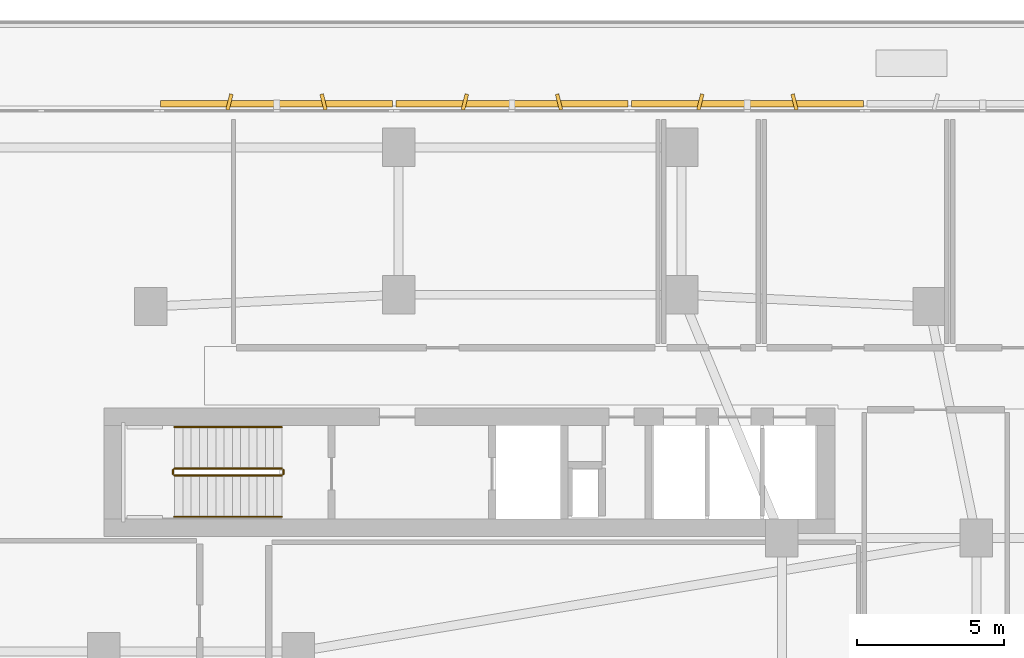
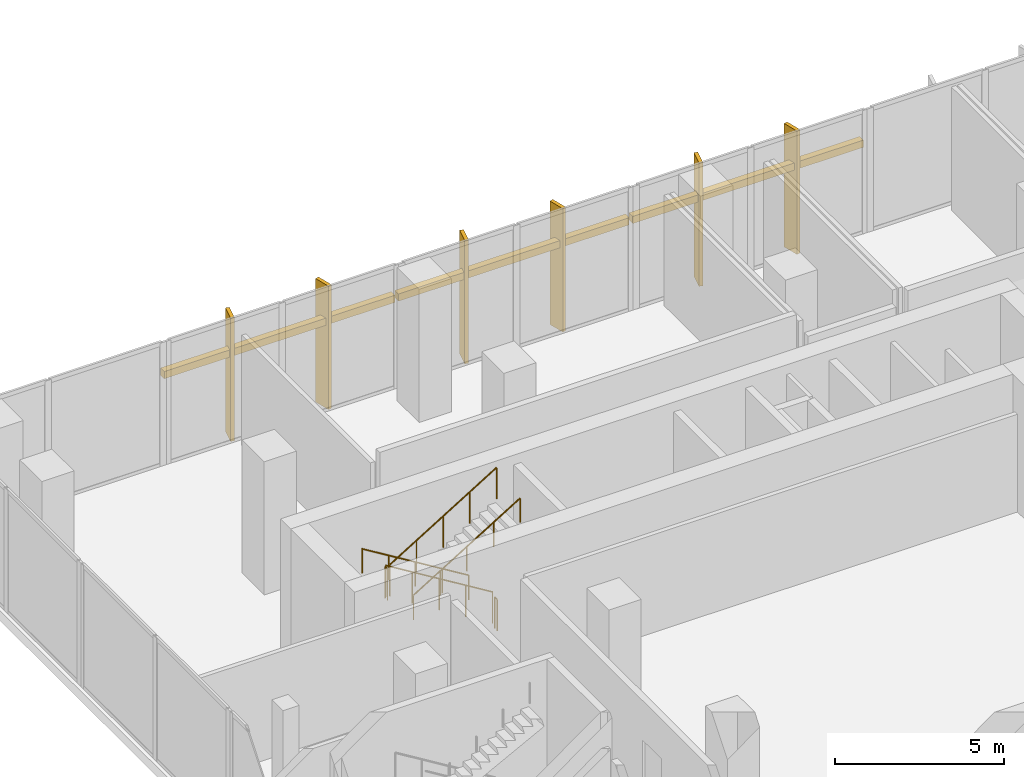
# One storey, part 25 of 30: 9 shading devices, 6 railings.
"""IFC4 building model written with IfcOpenShell, lengths in metres."""

import ifcopenshell
import ifcopenshell.guid

model = None  # the IFC model being written
_history = None  # IfcOwnerHistory: only IFC2X3 demands one
_inside = {}  # id of a spatial element -> (the spatial element, [elements in it])
_under = {}  # id of a project, library or spatial element -> (it, [spatial elements below it])
_declared = {}  # id of a project -> (the project, [libraries it declares])
_typed = {}  # id of a type object -> (the type object, [elements of that type])
_made_of = {}  # id of a material, layer set ... -> (it, [elements and type objects made of it])


def new_model(schema):
    """Start an empty IFC model of exactly this schema.

    Asked for "IFC4X3", IfcOpenShell would pick the latest addendum, in which some entities
    have other attributes; the version numbers below select the first issue.
    IFC2X3 requires an IfcOwnerHistory on every rooted entity: one is made here for all.
    """
    global model, _history
    if schema == "IFC4X3":
        model = ifcopenshell.file(schema_version=(4, 3, 0, 0))
    else:
        model = ifcopenshell.file(schema=schema)
    _inside.clear()
    _under.clear()
    _declared.clear()
    _typed.clear()
    _made_of.clear()
    _history = None
    if model.schema == "IFC2X3":
        org = make("IfcOrganization", Name="unknown")
        user = make(
            "IfcPersonAndOrganization",
            ThePerson=make("IfcPerson", FamilyName="unknown"),
            TheOrganization=org,
        )
        app = make(
            "IfcApplication",
            ApplicationDeveloper=org,
            Version="unknown",
            ApplicationFullName="unknown",
            ApplicationIdentifier="unknown",
        )
        _history = make(
            "IfcOwnerHistory",
            OwningUser=user,
            OwningApplication=app,
            ChangeAction="ADDED",
            CreationDate=0,
        )
    return model


def make(cls, **values):
    """One entity of the class cls with the attributes given. An attribute that is None is left unset."""
    return model.create_entity(
        cls, **{name: value for name, value in values.items() if value is not None}
    )


def rooted(cls, **values):
    """An entity with a GlobalId (a new one), such as an element, a storey or a relation."""
    return make(cls, GlobalId=ifcopenshell.guid.new(), OwnerHistory=_history, **values)


def si_unit(unit_type, name, prefix=None):
    """IfcSIUnit, for example si_unit("LENGTHUNIT", "METRE", prefix="MILLI")."""
    return make("IfcSIUnit", UnitType=unit_type, Prefix=prefix, Name=name)


def derived_unit(unit_type, elements):
    """IfcDerivedUnit: a product of units, each with its exponent."""
    return make(
        "IfcDerivedUnit",
        Elements=[
            make("IfcDerivedUnitElement", Unit=unit, Exponent=power)
            for unit, power in elements
        ],
        UnitType=unit_type,
    )


def assignment(units):
    """IfcUnitAssignment: the units of a project."""
    return None if units is None else make("IfcUnitAssignment", Units=units)


def point(xyz):
    """IfcCartesianPoint."""
    return None if xyz is None else make("IfcCartesianPoint", Coordinates=xyz)


def direction(xyz):
    """IfcDirection."""
    return None if xyz is None else make("IfcDirection", DirectionRatios=xyz)


def frame(location, z_axis=None, x_axis=None):
    """IfcAxis2Placement3D, a coordinate frame: its origin and axes. An axis left out is left unset."""
    return make(
        "IfcAxis2Placement3D",
        Location=point(location),
        Axis=direction(z_axis),
        RefDirection=direction(x_axis),
    )


def frame_2d(location, x_axis=None):
    """IfcAxis2Placement2D, a coordinate frame in the plane: its origin and x axis."""
    return make(
        "IfcAxis2Placement2D", Location=point(location), RefDirection=direction(x_axis)
    )


def origin():
    """The frame at (0, 0, 0) with its axes left unset."""
    return frame((0.0, 0.0, 0.0))


def origin_2d():
    """The frame at (0, 0) in the plane with its x axis left unset."""
    return frame_2d((0.0, 0.0))


def place(relative_to, where):
    """IfcLocalPlacement: puts the frame where relative to a parent placement (None: the world)."""
    return make(
        "IfcLocalPlacement", PlacementRelTo=relative_to, RelativePlacement=where
    )


def context(
    kind, dimensions, precision=None, world=None, true_north=None, identifier=None
):
    """IfcGeometricRepresentationContext, for example the 3D "Model" context."""
    return make(
        "IfcGeometricRepresentationContext",
        ContextIdentifier=identifier,
        ContextType=kind,
        CoordinateSpaceDimension=dimensions,
        Precision=precision,
        WorldCoordinateSystem=world,
        TrueNorth=true_north,
    )


def subcontext(parent, identifier, kind, view, scale=None):
    """IfcGeometricRepresentationSubContext, for example "Body" below "Model"."""
    return make(
        "IfcGeometricRepresentationSubContext",
        ContextIdentifier=identifier,
        ContextType=kind,
        ParentContext=parent,
        TargetScale=scale,
        TargetView=view,
    )


def project(units=None, contexts=None):
    """IfcProject with its units and contexts."""
    return rooted(
        "IfcProject",
        Name="project",
        RepresentationContexts=contexts,
        UnitsInContext=assignment(units),
    )


def spatial(cls, under=None, at=None, **own):
    """A site, building, storey or space (cls), placed at a placement, below another one or the project."""
    s = rooted(cls, ObjectPlacement=at, **own)
    if under is not None:
        _under.setdefault(under.id(), (under, []))[1].append(s)
    return s


def profile(cls, at=None, kind="AREA", **sizes):
    """A parametric profile (cls). Its sizes go by their IFC names, for example OverallWidth=200.0."""
    return make(cls, ProfileType=kind, Position=at, **sizes)


def rectangle(**sizes):
    """IfcRectangleProfileDef."""
    return profile("IfcRectangleProfileDef", **sizes)


def circle(**sizes):
    """IfcCircleProfileDef."""
    return profile("IfcCircleProfileDef", **sizes)


def extrude(swept, where, along, depth):
    """IfcExtrudedAreaSolid: the profile swept, set in the frame where, extruded along a direction by depth."""
    return make(
        "IfcExtrudedAreaSolid",
        SweptArea=swept,
        Position=where,
        ExtrudedDirection=direction(along),
        Depth=depth,
    )


def shape(context_of_items, identifier, shape_type, items):
    """IfcShapeRepresentation: the items that make up one representation, for example the "Body"."""
    return make(
        "IfcShapeRepresentation",
        ContextOfItems=context_of_items,
        RepresentationIdentifier=identifier,
        RepresentationType=shape_type,
        Items=items,
    )


def material(Name=None, Category=None):
    """IfcMaterial."""
    return make("IfcMaterial", Name=Name, Category=Category)


def made_of(thing, what):
    """Note that an element or type object is made of a material, layer set ...; save() writes the relation."""
    if what is not None:
        _made_of.setdefault(what.id(), (what, []))[1].append(thing)
    return thing


def type_object(cls, material=None, **own):
    """A type object (cls), such as IfcWallType, which elements share."""
    return made_of(rooted(cls, **own), material)


def element(
    cls,
    number,
    at=None,
    inside=None,
    cuts=None,
    type_object=None,
    material=None,
    context=None,
    identifier="Body",
    shape_type=None,
    held_by="IfcProductDefinitionShape",
    body=None,
    shapes=None,
    **own,
):
    """One element of the class cls, such as IfcWall. Its Tag is "e" and its number.

    at: its placement. inside: the storey or other place that contains it. cuts: it is an
    opening in that element (IfcRelVoidsElement). A single representation is given by context,
    identifier, shape_type and body (its items); several are given by shapes. held_by: the class
    of the entity that holds the representations. save() writes the other relations.
    """
    e = rooted(cls, Tag="e%d" % number, ObjectPlacement=at, **own)
    if body is not None:
        shapes = [shape(context, identifier, shape_type, body)]
    if shapes is not None:
        e.Representation = make(held_by, Representations=shapes)
    if inside is not None:
        _inside.setdefault(inside.id(), (inside, []))[1].append(e)
    if cuts is not None:
        rooted(
            "IfcRelVoidsElement", RelatingBuildingElement=cuts, RelatedOpeningElement=e
        )
    if type_object is not None:
        _typed.setdefault(type_object.id(), (type_object, []))[1].append(e)
    return made_of(e, material)


def aggregate(whole, parts):
    """IfcRelAggregates: a whole, such as a stair, and the parts it consists of."""
    return rooted("IfcRelAggregates", RelatingObject=whole, RelatedObjects=parts)


def save(model, path):
    """Write the relations noted so far, then the file.

    IfcRelAggregates (storeys below a building ...), IfcRelContainedInSpatialStructure (elements
    in a storey), IfcRelDefinesByType, IfcRelAssociatesMaterial and IfcRelDeclares: one each for
    every whole, place, type object, material and project.
    """
    for whole, parts in _under.values():
        aggregate(whole, parts)
    for where, things in _inside.values():
        rooted(
            "IfcRelContainedInSpatialStructure",
            RelatedElements=things,
            RelatingStructure=where,
        )
    for kind, things in _typed.values():
        rooted("IfcRelDefinesByType", RelatedObjects=things, RelatingType=kind)
    for what, things in _made_of.values():
        rooted("IfcRelAssociatesMaterial", RelatedObjects=things, RelatingMaterial=what)
    for by, libraries in _declared.values():
        rooted("IfcRelDeclares", RelatingContext=by, RelatedDefinitions=libraries)
    model.write(path)


model = new_model("IFC4")

# Units and contexts
model_context = context("Model", 3, precision=1e-05, world=origin(), true_north=direction((0.0, 1.0)))
body_context = subcontext(model_context, "Body", "Model", "MODEL_VIEW")
ifc_project = project(units=[si_unit("LENGTHUNIT", "METRE"), si_unit("AREAUNIT", "SQUARE_METRE"), si_unit("VOLUMEUNIT", "CUBIC_METRE"), si_unit("PLANEANGLEUNIT", "RADIAN"), si_unit("MASSUNIT", "GRAM", prefix="KILO"), derived_unit("THERMALTRANSMITTANCEUNIT", [(si_unit("POWERUNIT", "WATT"), 1), (si_unit("LENGTHUNIT", "METRE"), -2), (si_unit("THERMODYNAMICTEMPERATUREUNIT", "KELVIN"), -1)])], contexts=[model_context])

# Site, building, storey
site_placement = place(None, origin())
site = spatial("IfcSite", under=ifc_project, at=site_placement, CompositionType="ELEMENT")
building_placement = place(site_placement, origin())
building = spatial("IfcBuilding", under=site, at=building_placement, Name="Kivonza Crest Hotel", CompositionType="ELEMENT")
storey_placement = place(building_placement, frame((0.0, 0.0, 10.199951171875)))
storey = spatial("IfcBuildingStorey", under=building, at=storey_placement, Name="L02", CompositionType="ELEMENT", Elevation=10.199951171875)

# Railings
ifc_material_1 = material(Name="Brushed stainless steel handrail", Category="steel")
railing_type_1 = type_object("IfcRailingType", Name="RL-HAND-900", PredefinedType="HANDRAIL", material=ifc_material_1)
railing_1_placement = place(storey_placement, frame((12.239990234375, 36.110107421875, 0.17138671875)))
element("IfcRailing", 1, at=railing_1_placement, inside=storey, type_object=railing_type_1, Name="L02 ST-T1-N stair handrail 1", PredefinedType="HANDRAIL", context=body_context, shape_type="SweptSolid", body=[
    extrude(circle(Radius=0.02392578125, at=origin_2d()), frame((0.0, 0.0, 0.8759765625), z_axis=(-0.852824790078, 0.0, 0.522197163366), x_axis=(0.0, -1.0, 0.0)), (0.0, 0.0, 1.0), 4.26806640625),
    extrude(circle(Radius=0.02099609375, at=origin_2d()), origin(), (0.0, 0.0, 1.0), 0.851806640625),
    extrude(circle(Radius=0.02099609375, at=origin_2d()), frame((-0.909912109375, 0.0, 0.55712890625)), (0.0, 0.0, 1.0), 0.851806640625),
    extrude(circle(Radius=0.02099609375, at=origin_2d()), frame((-1.81982421875, 0.0, 1.1142578125)), (0.0, 0.0, 1.0), 0.851806640625),
    extrude(circle(Radius=0.02099609375, at=origin_2d()), frame((-2.72998046875, 0.0, 1.671630859375)), (0.0, 0.0, 1.0), 0.851806640625),
    extrude(circle(Radius=0.02099609375, at=origin_2d()), frame((-3.639892578125, 0.0, 2.228759765625)), (0.0, 0.0, 1.0), 0.851806640625),
])
railing_2_placement = place(storey_placement, frame((8.60009765625, 33.070068359375, 2.571533203125)))
element("IfcRailing", 2, at=railing_2_placement, inside=storey, type_object=railing_type_1, Name="L02 ST-T1-N stair handrail 2", PredefinedType="HANDRAIL", context=body_context, shape_type="SweptSolid", body=[
    extrude(circle(Radius=0.02392578125, at=origin_2d()), frame((0.0, 0.0, 0.8759765625), z_axis=(0.852850264322, 0.0, 0.5221555579), x_axis=(0.0, 1.0, 0.0)), (0.0, 0.0, 1.0), 4.267822265625),
    extrude(circle(Radius=0.02099609375, at=origin_2d()), origin(), (0.0, 0.0, 1.0), 0.851806640625),
    extrude(circle(Radius=0.02099609375, at=origin_2d()), frame((0.909912109375, 0.0, 0.55712890625)), (0.0, 0.0, 1.0), 0.851806640625),
    extrude(circle(Radius=0.02099609375, at=origin_2d()), frame((1.81982421875, 0.0, 1.1142578125)), (0.0, 0.0, 1.0), 0.851806640625),
    extrude(circle(Radius=0.02099609375, at=origin_2d()), frame((2.72998046875, 0.0, 1.67138671875)), (0.0, 0.0, 1.0), 0.851806640625),
    extrude(circle(Radius=0.02099609375, at=origin_2d()), frame((3.639892578125, 0.0, 2.228515625)), (0.0, 0.0, 1.0), 0.851806640625),
])
ifc_material_2 = material(Name="Painted steel balustrade", Category="steel")
railing_type_2 = type_object("IfcRailingType", Name="RL-STAIR-1150", PredefinedType="BALUSTRADE", material=ifc_material_2)
railing_3_placement = place(storey_placement, frame((12.239990234375, 34.7099609375, 0.17138671875)))
element("IfcRailing", 3, at=railing_3_placement, inside=storey, type_object=railing_type_2, Name="L02 ST-T1-N stair guard 1", PredefinedType="BALUSTRADE", context=body_context, shape_type="SweptSolid", body=[
    extrude(circle(Radius=0.02392578125, at=origin_2d()), frame((0.0, 0.0, 1.1259765625), z_axis=(-0.852824790078, 0.0, 0.522197163366), x_axis=(0.0, -1.0, 0.0)), (0.0, 0.0, 1.0), 4.26806640625),
    extrude(circle(Radius=0.02099609375, at=origin_2d()), origin(), (0.0, 0.0, 1.0), 1.101806640625),
    extrude(circle(Radius=0.02099609375, at=origin_2d()), frame((-0.909912109375, 0.0, 0.55712890625)), (0.0, 0.0, 1.0), 1.101806640625),
    extrude(circle(Radius=0.02099609375, at=origin_2d()), frame((-1.81982421875, 0.0, 1.1142578125)), (0.0, 0.0, 1.0), 1.101806640625),
    extrude(circle(Radius=0.02099609375, at=origin_2d()), frame((-2.72998046875, 0.0, 1.671630859375)), (0.0, 0.0, 1.0), 1.101806640625),
    extrude(circle(Radius=0.02099609375, at=origin_2d()), frame((-3.639892578125, 0.0, 2.228759765625)), (0.0, 0.0, 1.0), 1.101806640625),
])
railing_4_placement = place(storey_placement, frame((8.550048828125, 34.659912109375, 2.400146484375)))
element("IfcRailing", 4, at=railing_4_placement, inside=storey, type_object=railing_type_2, Name="L02 ST-T1-N stair guard 2", PredefinedType="BALUSTRADE", context=body_context, shape_type="SweptSolid", body=[
    extrude(circle(Radius=0.02392578125, at=origin_2d()), frame((0.0, 0.0, 1.1259765625), z_axis=(0.0, -1.0, 0.0), x_axis=(1.0, 0.0, 0.0)), (0.0, 0.0, 1.0), 0.139892578125),
    extrude(circle(Radius=0.02099609375, at=origin_2d()), origin(), (0.0, 0.0, 1.0), 1.101806640625),
    extrude(circle(Radius=0.02099609375, at=origin_2d()), frame((0.0, -0.139892578125, 0.0)), (0.0, 0.0, 1.0), 1.101806640625),
])
railing_5_placement = place(storey_placement, frame((8.60009765625, 34.469970703125, 2.571533203125)))
element("IfcRailing", 5, at=railing_5_placement, inside=storey, type_object=railing_type_2, Name="L02 ST-T1-N stair guard 3", PredefinedType="BALUSTRADE", context=body_context, shape_type="SweptSolid", body=[
    extrude(circle(Radius=0.02392578125, at=origin_2d()), frame((0.0, 0.0, 1.1259765625), z_axis=(0.852850264322, 0.0, 0.5221555579), x_axis=(0.0, 1.0, 0.0)), (0.0, 0.0, 1.0), 4.267822265625),
    extrude(circle(Radius=0.02099609375, at=origin_2d()), origin(), (0.0, 0.0, 1.0), 1.101806640625),
    extrude(circle(Radius=0.02099609375, at=origin_2d()), frame((0.909912109375, 0.0, 0.55712890625)), (0.0, 0.0, 1.0), 1.101806640625),
    extrude(circle(Radius=0.02099609375, at=origin_2d()), frame((1.81982421875, 0.0, 1.1142578125)), (0.0, 0.0, 1.0), 1.101806640625),
    extrude(circle(Radius=0.02099609375, at=origin_2d()), frame((2.72998046875, 0.0, 1.67138671875)), (0.0, 0.0, 1.0), 1.101806640625),
    extrude(circle(Radius=0.02099609375, at=origin_2d()), frame((3.639892578125, 0.0, 2.228515625)), (0.0, 0.0, 1.0), 1.101806640625),
])
railing_6_placement = place(storey_placement, frame((12.2900390625, 34.659912109375, 0.0)))
element("IfcRailing", 6, at=railing_6_placement, inside=storey, type_object=railing_type_2, Name="L02 ST-T1-N stair guard 4", PredefinedType="BALUSTRADE", context=body_context, shape_type="SweptSolid", body=[
    extrude(circle(Radius=0.02392578125, at=origin_2d()), frame((0.0, 0.0, 1.1259765625), z_axis=(0.0, -1.0, 0.0), x_axis=(1.0, 0.0, 0.0)), (0.0, 0.0, 1.0), 0.139892578125),
    extrude(circle(Radius=0.02099609375, at=origin_2d()), origin(), (0.0, 0.0, 1.0), 1.101806640625),
    extrude(circle(Radius=0.02099609375, at=origin_2d()), frame((0.0, -0.139892578125, 0.0)), (0.0, 0.0, 1.0), 1.101806640625),
])

# Shading devices
ifc_material_3 = material(Name="Kiln-fired Nairobi red-ochre terracotta", Category="masonry")
shading_device_type_1 = type_object("IfcShadingDeviceType", Name="SH-BAGUETTE-300", PredefinedType="USERDEFINED", material=ifc_material_3)
for number, where, z_axis, x_axis, name in (
    (7, (28.033935546875, 47.080078125, 2.98486328125), (0.0, 0.0, 1.0), (-1.0, 0.0, 0.0), "L02 terracotta baguette screen CW-POD-L02-26"),
    (8, (20.047119140625, 47.080078125, 2.98486328125), (0.0, 0.0, 1.0), (-1.0, 0.0, 0.0), "L02 terracotta baguette screen CW-POD-L02-27"),
):
    element("IfcShadingDevice", number, at=place(storey_placement, frame(where, z_axis=z_axis, x_axis=x_axis)), inside=storey, type_object=shading_device_type_1, Name=name, ObjectType="BAGUETTE", PredefinedType="USERDEFINED", context=body_context, shape_type="SweptSolid", body=[
        extrude(rectangle(XDim=7.866943359375, YDim=0.219970703125, at=origin_2d()), origin(), (0.0, 0.0, 1.0), 0.260009765625),
    ])
shading_device_placement = place(storey_placement, frame((12.06005859375, 47.080078125, 2.98486328125), z_axis=(0.0, 0.0, 1.0), x_axis=(-1.0, 0.0, 0.0)))
element("IfcShadingDevice", 9, at=shading_device_placement, inside=storey, type_object=shading_device_type_1, Name="L02 terracotta baguette screen CW-POD-L02-28", ObjectType="BAGUETTE", PredefinedType="USERDEFINED", context=body_context, shape_type="SweptSolid", body=[
    extrude(rectangle(XDim=7.865966796875, YDim=0.219970703125, at=origin_2d()), origin(), (0.0, 0.0, 1.0), 0.260009765625),
])
ifc_material_4 = material(Name="Kiln-fired terracotta over extruded aluminium spine", Category="masonry")
shading_device_type_2 = type_object("IfcShadingDeviceType", Name="SH-FIN-550", PredefinedType="USERDEFINED", material=ifc_material_4)
for number, where, z_axis, x_axis, name in (
    (10, (29.631103515625, 47.139892578125, 0.0), (0.0, 0.0, 1.0), (-0.970295726276, -0.2419218956, 0.0), "L02 vertical solar shading fin CW-POD-L02-26-1"),
    (11, (26.43603515625, 47.139892578125, 0.0), (0.0, 0.0, 1.0), (-0.970295726276, 0.2419218956, 0.0), "L02 vertical solar shading fin CW-POD-L02-26-2"),
    (12, (21.64404296875, 47.139892578125, 0.0), (0.0, 0.0, 1.0), (-0.970295726276, -0.2419218956, 0.0), "L02 vertical solar shading fin CW-POD-L02-27-1"),
    (13, (18.448974609375, 47.139892578125, 0.0), (0.0, 0.0, 1.0), (-0.970295726276, 0.2419218956, 0.0), "L02 vertical solar shading fin CW-POD-L02-27-2"),
    (14, (13.656982421875, 47.139892578125, 0.0), (0.0, 0.0, 1.0), (-0.970295726276, -0.2419218956, 0.0), "L02 vertical solar shading fin CW-POD-L02-28-1"),
    (15, (10.462890625, 47.139892578125, 0.0), (0.0, 0.0, 1.0), (-0.970295726276, 0.2419218956, 0.0), "L02 vertical solar shading fin CW-POD-L02-28-2"),
):
    element("IfcShadingDevice", number, at=place(storey_placement, frame(where, z_axis=z_axis, x_axis=x_axis)), inside=storey, type_object=shading_device_type_2, Name=name, ObjectType="FIN", PredefinedType="USERDEFINED", context=body_context, shape_type="SweptSolid", body=[
        extrude(rectangle(XDim=0.1201171875, YDim=0.550048828125, at=origin_2d()), origin(), (0.0, 0.0, 1.0), 4.449951171875),
    ])

save(model, "model.ifc")
